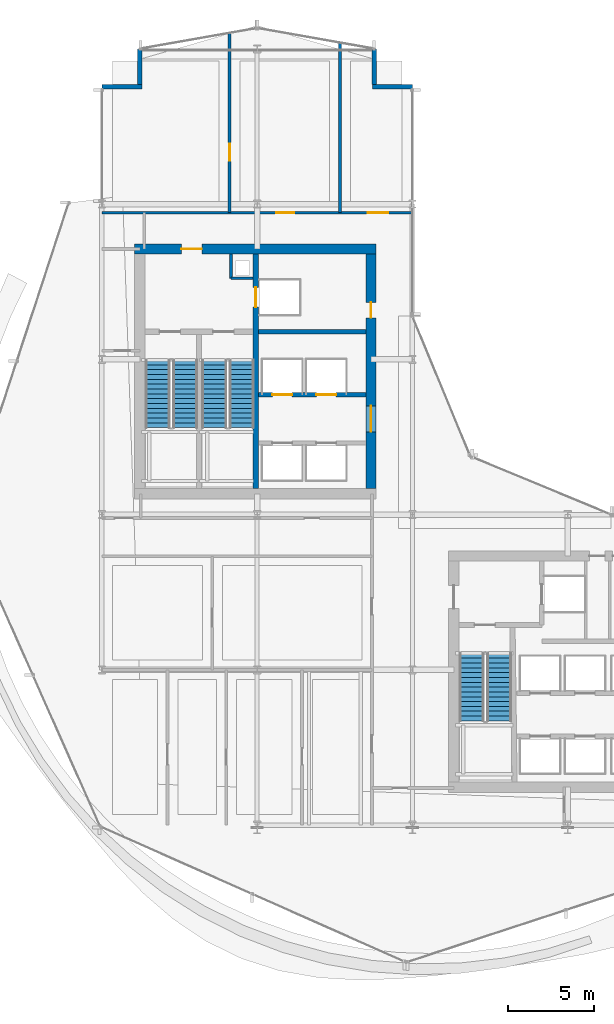
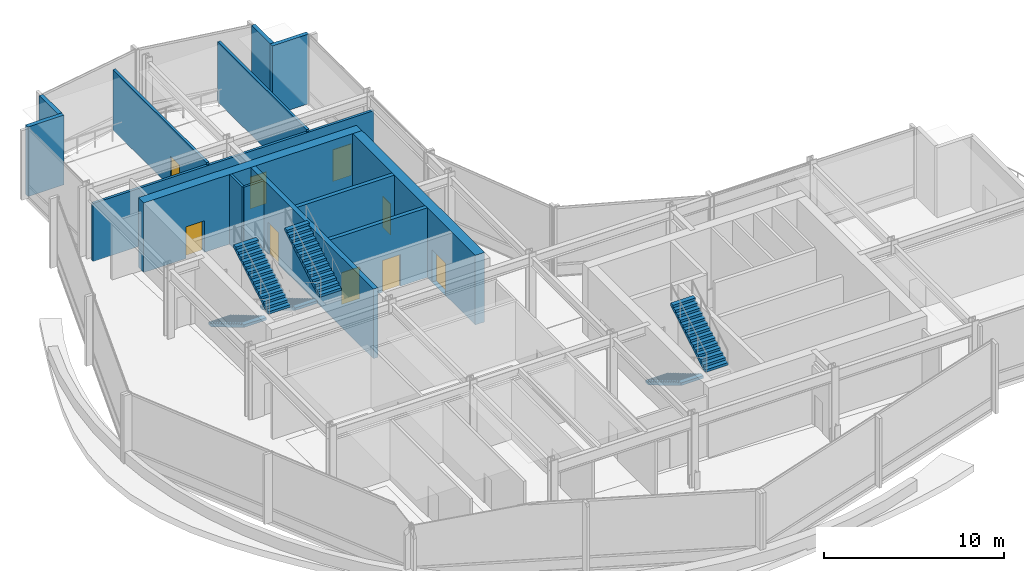
# One storey, part 26 of 33: 14 walls, 9 doors, 6 stair flights, 9 openings, 3 elements without a shape of their own.
"""IFC4 building model written with IfcOpenShell, lengths in metres."""

from ifc_helpers import new_model, si_unit, direction, frame, frame_2d, origin, place, context, subcontext, project, spatial, polyline, rectangle, outline, extrude, material, layer, layer_set, type_object, element, fill, aggregate, save


model = new_model("IFC4")

# Units and contexts
model_context = context("Model", 3, precision=1e-05, world=origin(), true_north=direction((0.0, 1.0)))
body_context = subcontext(model_context, "Body", "Model", "MODEL_VIEW")
ifc_project = project(units=[si_unit("LENGTHUNIT", "METRE"), si_unit("AREAUNIT", "SQUARE_METRE"), si_unit("VOLUMEUNIT", "CUBIC_METRE"), si_unit("PLANEANGLEUNIT", "RADIAN"), si_unit("MASSUNIT", "GRAM", prefix="KILO")], contexts=[model_context])

# Site, building, storey
site_placement = place(None, origin())
site = spatial("IfcSite", under=ifc_project, at=site_placement, CompositionType="ELEMENT")
building_placement = place(site_placement, origin())
building = spatial("IfcBuilding", under=site, at=building_placement, Name="Solvaryn Broadcast Tower", CompositionType="ELEMENT")
storey_placement = place(building_placement, frame((0.0, 0.0, 105.0)))
storey = spatial("IfcBuildingStorey", under=building, at=storey_placement, Name="L25", CompositionType="ELEMENT", Elevation=105.0)

# Wall, opening, door
ifc_material_1 = material(Name="Concrete f'c 70 MPa", Category="concrete")
ifc_layer_1 = layer(ifc_material_1, 0.60009765625)
ifc_layer_set_1 = layer_set([ifc_layer_1], Name="CW-SHEAR-600")
wall_type_1 = type_object("IfcWallType", Name="CW-SHEAR-600", PredefinedType="SHEAR", material=ifc_layer_set_1)
wall_1_placement = place(storey_placement, frame((24.89990234375, 42.39990234375, 0.0), z_axis=(0.0, 0.0, 1.0), x_axis=(-1.0, 0.0, 0.0)))
wall_1 = element("IfcWall", 1, at=wall_1_placement, inside=storey, type_object=wall_type_1, Name="L25 West Core North Shear Wall", PredefinedType="SHEAR", context=body_context, shape_type="SweptSolid", body=[
    extrude(rectangle(XDim=14.0, YDim=0.60009765625, at=frame_2d((7.0, 0.0))), origin(), (0.0, 0.0, 1.0), 4.719970703125),
])
opening_1_placement = place(wall_1_placement, frame((10.10009765625, 0.0, 0.0)))
opening_1 = element("IfcOpeningElement", 2, at=opening_1_placement, cuts=wall_1, Name="Opening FD90A", PredefinedType="OPENING", context=body_context, shape_type="SweptSolid", body=[
    extrude(rectangle(XDim=1.199951171875, YDim=2.14990234375, at=frame_2d((0.60009765625, 1.074951171875))), frame((0.0, 0.31005859375, 0.0), z_axis=(0.0, -1.0, 0.0), x_axis=(1.0, 0.0, 0.0)), (0.0, 0.0, 1.0), 0.6201171875),
])
ifc_material_2 = material(Name="Flush Acoustic Steel and Timber Door Assembly", Category="steel")
door_type_1 = type_object("IfcDoorType", Name="FD90-STAIR-1200X2150", OperationType="NOTDEFINED", PredefinedType="DOOR", material=ifc_material_2)
door_1_placement = place(opening_1_placement, origin())
door_1 = element("IfcDoor", 3, at=door_1_placement, inside=storey, type_object=door_type_1, Name="L25 West FSAE Lobby Corridor Door", OperationType="SINGLE_SWING_LEFT", OverallHeight=2.14990234375, OverallWidth=1.199951171875, PredefinedType="DOOR", context=body_context, shape_type="SweptSolid", body=[
    extrude(rectangle(XDim=1.199951171875, YDim=2.14990234375, at=frame_2d((0.60009765625, 1.074951171875))), frame((0.0, 0.02490234375, 0.0), z_axis=(0.0, -1.0, 0.0), x_axis=(1.0, 0.0, 0.0)), (0.0, 0.0, 1.0), 0.050048828125),
])
fill(opening_1, door_1)

# Wall, openings, doors
wall_2_placement = place(storey_placement, frame((24.60009765625, 28.5, 0.0), z_axis=(0.0, 0.0, 1.0), x_axis=(0.0, 1.0, 0.0)))
wall_2 = element("IfcWall", 4, at=wall_2_placement, inside=storey, type_object=wall_type_1, Name="L25 West Core East Shear Wall", PredefinedType="SHEAR", context=body_context, shape_type="SweptSolid", body=[
    extrude(rectangle(XDim=13.60009765625, YDim=0.60009765625, at=frame_2d((6.800048828125, 0.0))), origin(), (0.0, 0.0, 1.0), 4.719970703125),
])
opening_2_placement = place(wall_2_placement, frame((3.300048828125, 0.0, 0.0)))
opening_2 = element("IfcOpeningElement", 5, at=opening_2_placement, cuts=wall_2, Name="Opening FD60A", PredefinedType="OPENING", context=body_context, shape_type="SweptSolid", body=[
    extrude(rectangle(XDim=1.5, YDim=2.199951171875, at=frame_2d((0.75, 1.10009765625))), frame((0.0, 0.31005859375, 0.0), z_axis=(0.0, -1.0, 0.0), x_axis=(1.0, 0.0, 0.0)), (0.0, 0.0, 1.0), 0.6201171875),
])
opening_3_placement = place(wall_2_placement, frame((9.89990234375, 0.0, 0.0)))
opening_3 = element("IfcOpeningElement", 6, at=opening_3_placement, cuts=wall_2, Name="Opening FD60C", PredefinedType="OPENING", context=body_context, shape_type="SweptSolid", body=[
    extrude(rectangle(XDim=0.89990234375, YDim=2.10009765625, at=frame_2d((0.449951171875, 1.050048828125))), frame((0.0, 0.31005859375, 0.0), z_axis=(0.0, -1.0, 0.0), x_axis=(1.0, 0.0, 0.0)), (0.0, 0.0, 1.0), 0.6201171875),
])
ifc_material_3 = material(Name="Flush Acoustic Steel and Timber Door Assembly", Category="steel")
door_type_2 = type_object("IfcDoorType", Name="FD60-CORR-1500X2200", OperationType="NOTDEFINED", PredefinedType="DOOR", material=ifc_material_3)
door_2_placement = place(opening_2_placement, origin())
door_2 = element("IfcDoor", 7, at=door_2_placement, inside=storey, type_object=door_type_2, Name="L25 West Elevator Lobby Corridor Door", OperationType="DOUBLE_DOOR_SINGLE_SWING", OverallHeight=2.199951171875, OverallWidth=1.5, PredefinedType="DOOR", context=body_context, shape_type="SweptSolid", body=[
    extrude(rectangle(XDim=1.5, YDim=2.199951171875, at=frame_2d((0.75, 1.10009765625))), frame((0.0, 0.02490234375, 0.0), z_axis=(0.0, -1.0, 0.0), x_axis=(1.0, 0.0, 0.0)), (0.0, 0.0, 1.0), 0.050048828125),
])
fill(opening_2, door_2)
ifc_material_4 = material(Name="Flush Acoustic Steel and Timber Door Assembly", Category="steel")
door_type_3 = type_object("IfcDoorType", Name="FD60-SERV-900X2100", OperationType="NOTDEFINED", PredefinedType="DOOR", material=ifc_material_4)
door_3_placement = place(opening_3_placement, origin())
door_3 = element("IfcDoor", 8, at=door_3_placement, inside=storey, type_object=door_type_3, Name="L25 West Core Service Door 1", OperationType="SINGLE_SWING_LEFT", OverallHeight=2.10009765625, OverallWidth=0.89990234375, PredefinedType="DOOR", context=body_context, shape_type="SweptSolid", body=[
    extrude(rectangle(XDim=0.89990234375, YDim=2.10009765625, at=frame_2d((0.449951171875, 1.050048828125))), frame((0.0, 0.02490234375, 0.0), z_axis=(0.0, -1.0, 0.0), x_axis=(1.0, 0.0, 0.0)), (0.0, 0.0, 1.0), 0.050048828125),
])
fill(opening_3, door_3)

# Walls
ifc_material_5 = material(Name="Concrete f'c 50 MPa", Category="concrete")
ifc_layer_2 = layer(ifc_material_5, 0.260009765625)
ifc_layer_set_2 = layer_set([ifc_layer_2], Name="EW-PIER-260")
wall_type_2 = type_object("IfcWallType", Name="EW-PIER-260", PredefinedType="SOLIDWALL", material=ifc_layer_set_2)
wall_3_placement = place(storey_placement, frame((9.0, 51.800048828125, 0.0), z_axis=(0.0, 0.0, 1.0), x_axis=(1.0, 0.0, 0.0)))
element("IfcWall", 9, at=wall_3_placement, inside=storey, type_object=wall_type_2, Name="L25 Notched Corner Pier Wall NNW1", PredefinedType="SOLIDWALL", context=body_context, shape_type="SweptSolid", body=[
    extrude(rectangle(XDim=2.320068359375, YDim=0.260009765625, at=frame_2d((1.16015625, 0.0))), origin(), (0.0, 0.0, 1.0), 4.719970703125),
])
for number, where, z_axis, x_axis, name in (
    (10, (11.199951171875, 51.919921875, 0.0), (0.0, 0.0, 1.0), (0.0, 1.0, 0.0), "L25 Notched Corner Pier Wall NNW2"),
    (11, (24.800048828125, 54.0, 0.0), (0.0, 0.0, 1.0), (0.0, -1.0, 0.0), "L25 Notched Corner Pier Wall NNE1"),
):
    element("IfcWall", number, at=place(storey_placement, frame(where, z_axis=z_axis, x_axis=x_axis)), inside=storey, type_object=wall_type_2, Name=name, PredefinedType="SOLIDWALL", context=body_context, shape_type="SweptSolid", body=[
        extrude(rectangle(XDim=2.080078125, YDim=0.260009765625, at=frame_2d((1.0400390625, 0.0))), origin(), (0.0, 0.0, 1.0), 4.719970703125),
    ])
wall_4_placement = place(storey_placement, frame((24.679931640625, 51.800048828125, 0.0), z_axis=(0.0, 0.0, 1.0), x_axis=(1.0, 0.0, 0.0)))
element("IfcWall", 12, at=wall_4_placement, inside=storey, type_object=wall_type_2, Name="L25 Notched Corner Pier Wall NNE2", PredefinedType="SOLIDWALL", context=body_context, shape_type="SweptSolid", body=[
    extrude(rectangle(XDim=2.320068359375, YDim=0.260009765625, at=frame_2d((1.16015625, 0.0))), origin(), (0.0, 0.0, 1.0), 4.719970703125),
])
ifc_material_6 = material(Name="Metal-Stud Service Core Partition")
ifc_layer_3 = layer(ifc_material_6, 0.14990234375)
ifc_layer_set_3 = layer_set([ifc_layer_3], Name="IW-PART-150")
wall_type_3 = type_object("IfcWallType", Name="IW-PART-150", PredefinedType="PARTITIONING", material=ifc_layer_set_3)
wall_5_placement = place(storey_placement, frame((16.47998046875, 40.699951171875, 0.0), z_axis=(0.0, 0.0, 1.0), x_axis=(1.0, 0.0, 0.0)))
element("IfcWall", 13, at=wall_5_placement, inside=storey, type_object=wall_type_3, Name="L25 West Core Riser Shaft South Wall", PredefinedType="PARTITIONING", context=body_context, shape_type="SweptSolid", body=[
    extrude(rectangle(XDim=1.2900390625, YDim=0.14990234375, at=frame_2d((0.64501953125, 0.0))), origin(), (0.0, 0.0, 1.0), 4.719970703125),
])
wall_6_placement = place(storey_placement, frame((16.47998046875, 40.699951171875, 0.0), z_axis=(0.0, 0.0, 1.0), x_axis=(0.0, 1.0, 0.0)))
element("IfcWall", 14, at=wall_6_placement, inside=storey, type_object=wall_type_3, Name="L25 West Core Riser Shaft West Wall", PredefinedType="PARTITIONING", context=body_context, shape_type="SweptSolid", body=[
    extrude(rectangle(XDim=1.400146484375, YDim=0.14990234375, at=frame_2d((0.7001953125, 0.0))), origin(), (0.0, 0.0, 1.0), 4.719970703125),
])

# Wall, openings, doors
ifc_material_7 = material(Name="Metal-Stud Gypsum Office Partition")
ifc_layer_4 = layer(ifc_material_7, 0.159912109375)
ifc_layer_set_4 = layer_set([ifc_layer_4], Name="IW-PART-160")
wall_type_4 = type_object("IfcWallType", Name="IW-PART-160", PredefinedType="PARTITIONING", material=ifc_layer_set_4)
wall_7_placement = place(storey_placement, frame((9.0, 44.5, 0.0), z_axis=(0.0, 0.0, 1.0), x_axis=(1.0, 0.0, 0.0)))
wall_7 = element("IfcWall", 15, at=wall_7_placement, inside=storey, type_object=wall_type_4, Name="L25 Interior Partition IW-L25-NW-SB", PredefinedType="PARTITIONING", context=body_context, shape_type="SweptSolid", body=[
    extrude(rectangle(XDim=18.0, YDim=0.159912109375, at=frame_2d((9.0, 0.0))), origin(), (0.0, 0.0, 1.0), 3.93408203125),
])
opening_4_placement = place(wall_7_placement, frame((10.10009765625, 0.0, 0.0)))
opening_4 = element("IfcOpeningElement", 16, at=opening_4_placement, cuts=wall_7, Name="Opening ID03", PredefinedType="OPENING", context=body_context, shape_type="SweptSolid", body=[
    extrude(rectangle(XDim=1.050048828125, YDim=2.14990234375, at=frame_2d((0.52490234375, 1.074951171875))), frame((0.0, 0.090087890625, 0.0), z_axis=(0.0, -1.0, 0.0), x_axis=(1.0, 0.0, 0.0)), (0.0, 0.0, 1.0), 0.179931640625),
])
opening_5_placement = place(wall_7_placement, frame((15.39990234375, 0.0, 0.0)))
opening_5 = element("IfcOpeningElement", 17, at=opening_5_placement, cuts=wall_7, Name="Opening ID04", PredefinedType="OPENING", context=body_context, shape_type="SweptSolid", body=[
    extrude(rectangle(XDim=1.199951171875, YDim=2.14990234375, at=frame_2d((0.60009765625, 1.074951171875))), frame((0.0, 0.090087890625, 0.0), z_axis=(0.0, -1.0, 0.0), x_axis=(1.0, 0.0, 0.0)), (0.0, 0.0, 1.0), 0.179931640625),
])
ifc_material_8 = material(Name="Flush Acoustic Steel and Timber Door Assembly", Category="steel")
door_type_4 = type_object("IfcDoorType", Name="ID-03-1050X2150", OperationType="NOTDEFINED", PredefinedType="DOOR", material=ifc_material_8)
door_4_placement = place(opening_4_placement, origin())
door_4 = element("IfcDoor", 18, at=door_4_placement, inside=storey, type_object=door_type_4, Name="L25 Door DR-L25-NW-2", OperationType="SINGLE_SWING_LEFT", OverallHeight=2.14990234375, OverallWidth=1.050048828125, PredefinedType="DOOR", context=body_context, shape_type="SweptSolid", body=[
    extrude(rectangle(XDim=1.050048828125, YDim=2.14990234375, at=frame_2d((0.52490234375, 1.074951171875))), frame((0.0, 0.02490234375, 0.0), z_axis=(0.0, -1.0, 0.0), x_axis=(1.0, 0.0, 0.0)), (0.0, 0.0, 1.0), 0.050048828125),
])
fill(opening_4, door_4)
ifc_material_9 = material(Name="Flush Acoustic Steel and Timber Door Assembly", Category="steel")
door_type_5 = type_object("IfcDoorType", Name="ID-04-1200X2150", OperationType="NOTDEFINED", PredefinedType="DOOR", material=ifc_material_9)
door_5_placement = place(opening_5_placement, origin())
door_5 = element("IfcDoor", 19, at=door_5_placement, inside=storey, type_object=door_type_5, Name="L25 Door DR-L25-NW-3", OperationType="SINGLE_SWING_RIGHT", OverallHeight=2.14990234375, OverallWidth=1.199951171875, PredefinedType="DOOR", context=body_context, shape_type="SweptSolid", body=[
    extrude(rectangle(XDim=1.199951171875, YDim=2.14990234375, at=frame_2d((0.60009765625, 1.074951171875))), frame((0.0, 0.02490234375, 0.0), z_axis=(0.0, -1.0, 0.0), x_axis=(1.0, 0.0, 0.0)), (0.0, 0.0, 1.0), 0.050048828125),
])
fill(opening_5, door_5)

# Wall, opening, door
wall_8_placement = place(storey_placement, frame((16.39990234375, 44.5, 0.0), z_axis=(0.0, 0.0, 1.0), x_axis=(0.0, 1.0, 0.0)))
wall_8 = element("IfcWall", 20, at=wall_8_placement, inside=storey, type_object=wall_type_4, Name="L25 Interior Partition IW-L25-NW-V1", PredefinedType="PARTITIONING", context=body_context, shape_type="SweptSolid", body=[
    extrude(rectangle(XDim=10.41796875, YDim=0.159912109375, at=frame_2d((5.208984375, 0.0))), origin(), (0.0, 0.0, 1.0), 4.089111328125),
])
opening_6_placement = place(wall_8_placement, frame((3.0, 0.0, 0.0)))
opening_6 = element("IfcOpeningElement", 21, at=opening_6_placement, cuts=wall_8, Name="Opening ID02", PredefinedType="OPENING", context=body_context, shape_type="SweptSolid", body=[
    extrude(rectangle(XDim=1.0, YDim=2.10009765625, at=frame_2d((0.5, 1.050048828125))), frame((0.0, 0.090087890625, 0.0), z_axis=(0.0, -1.0, 0.0), x_axis=(1.0, 0.0, 0.0)), (0.0, 0.0, 1.0), 0.179931640625),
])
ifc_material_10 = material(Name="Flush Acoustic Steel and Timber Door Assembly", Category="steel")
door_type_6 = type_object("IfcDoorType", Name="ID-02-1000X2100", OperationType="NOTDEFINED", PredefinedType="DOOR", material=ifc_material_10)
door_6_placement = place(opening_6_placement, origin())
door_6 = element("IfcDoor", 22, at=door_6_placement, inside=storey, type_object=door_type_6, Name="L25 Door DR-L25-NW-C1", OperationType="SINGLE_SWING_RIGHT", OverallHeight=2.10009765625, OverallWidth=1.0, PredefinedType="DOOR", context=body_context, shape_type="SweptSolid", body=[
    extrude(rectangle(XDim=1.0, YDim=2.10009765625, at=frame_2d((0.5, 1.050048828125))), frame((0.0, 0.02490234375, 0.0), z_axis=(0.0, -1.0, 0.0), x_axis=(1.0, 0.0, 0.0)), (0.0, 0.0, 1.0), 0.050048828125),
])
fill(opening_6, door_6)

# Walls
wall_9_placement = place(storey_placement, frame((22.800048828125, 44.5, 0.0), z_axis=(0.0, 0.0, 1.0), x_axis=(0.0, 1.0, 0.0)))
element("IfcWall", 23, at=wall_9_placement, inside=storey, type_object=wall_type_4, Name="L25 Interior Partition IW-L25-NW-V2", PredefinedType="PARTITIONING", context=body_context, shape_type="SweptSolid", body=[
    extrude(rectangle(XDim=9.85302734375, YDim=0.159912109375, at=frame_2d((4.926513671875, 0.0))), origin(), (0.0, 0.0, 1.0), 4.089111328125),
])
ifc_material_11 = material(Name="Concrete f'c 60 MPa", Category="concrete")
ifc_layer_5 = layer(ifc_material_11, 0.25)
ifc_layer_set_5 = layer_set([ifc_layer_5], Name="SW-SHAFT-250")
wall_type_5 = type_object("IfcWallType", Name="SW-SHAFT-250", PredefinedType="PARTITIONING", material=ifc_layer_set_5)
wall_10_placement = place(storey_placement, frame((18.070068359375, 37.60009765625, 0.0), z_axis=(0.0, 0.0, 1.0), x_axis=(1.0, 0.0, 0.0)))
element("IfcWall", 24, at=wall_10_placement, inside=storey, type_object=wall_type_5, Name="L25 West Core FSAE Hoistway Front Wall", PredefinedType="PARTITIONING", context=body_context, shape_type="SweptSolid", body=[
    extrude(rectangle(XDim=6.22998046875, YDim=0.25, at=frame_2d((3.114990234375, 0.0))), origin(), (0.0, 0.0, 1.0), 4.719970703125),
])

# Wall, openings, doors
wall_11_placement = place(storey_placement, frame((24.300048828125, 33.949951171875, 0.0), z_axis=(0.0, 0.0, 1.0), x_axis=(-1.0, 0.0, 0.0)))
wall_11 = element("IfcWall", 25, at=wall_11_placement, inside=storey, type_object=wall_type_5, Name="L25 High-Rise Lift Bank North Wall", PredefinedType="PARTITIONING", context=body_context, shape_type="SweptSolid", body=[
    extrude(rectangle(XDim=6.22998046875, YDim=0.25, at=frame_2d((3.114990234375, 0.0))), origin(), (0.0, 0.0, 1.0), 4.719970703125),
])
opening_7_placement = place(wall_11_placement, frame((4.27490234375, 0.0, 0.0)))
opening_7 = element("IfcOpeningElement", 26, at=opening_7_placement, cuts=wall_11, Name="Opening LD01", PredefinedType="OPENING", context=body_context, shape_type="SweptSolid", body=[
    extrude(rectangle(XDim=1.14990234375, YDim=2.14990234375, at=frame_2d((0.574951171875, 1.074951171875))), frame((0.0, 0.135009765625, 0.0), z_axis=(0.0, -1.0, 0.0), x_axis=(1.0, 0.0, 0.0)), (0.0, 0.0, 1.0), 0.27001953125),
])
opening_8_placement = place(wall_11_placement, frame((1.72509765625, 0.0, 0.0)))
opening_8 = element("IfcOpeningElement", 27, at=opening_8_placement, cuts=wall_11, Name="Opening LD01", PredefinedType="OPENING", context=body_context, shape_type="SweptSolid", body=[
    extrude(rectangle(XDim=1.14990234375, YDim=2.14990234375, at=frame_2d((0.574951171875, 1.074951171875))), frame((0.0, 0.135009765625, 0.0), z_axis=(0.0, -1.0, 0.0), x_axis=(1.0, 0.0, 0.0)), (0.0, 0.0, 1.0), 0.27001953125),
])
ifc_material_12 = material(Name="Flush Acoustic Steel and Timber Door Assembly", Category="steel")
door_type_7 = type_object("IfcDoorType", Name="LD-LIFT-1150X2150", OperationType="NOTDEFINED", PredefinedType="DOOR", material=ifc_material_12)
door_7_placement = place(opening_7_placement, origin())
door_7 = element("IfcDoor", 28, at=door_7_placement, inside=storey, type_object=door_type_7, Name="L25 PH3 Lift Landing Door", OperationType="DOUBLE_DOOR_SLIDING", OverallHeight=2.14990234375, OverallWidth=1.14990234375, PredefinedType="DOOR", context=body_context, shape_type="SweptSolid", body=[
    extrude(rectangle(XDim=1.14990234375, YDim=2.14990234375, at=frame_2d((0.574951171875, 1.074951171875))), frame((0.0, 0.02490234375, 0.0), z_axis=(0.0, -1.0, 0.0), x_axis=(1.0, 0.0, 0.0)), (0.0, 0.0, 1.0), 0.050048828125),
])
fill(opening_7, door_7)
door_8_placement = place(opening_8_placement, origin())
door_8 = element("IfcDoor", 29, at=door_8_placement, inside=storey, type_object=door_type_7, Name="L25 PH4 Lift Landing Door", OperationType="DOUBLE_DOOR_SLIDING", OverallHeight=2.14990234375, OverallWidth=1.14990234375, PredefinedType="DOOR", context=body_context, shape_type="SweptSolid", body=[
    extrude(rectangle(XDim=1.14990234375, YDim=2.14990234375, at=frame_2d((0.574951171875, 1.074951171875))), frame((0.0, 0.02490234375, 0.0), z_axis=(0.0, -1.0, 0.0), x_axis=(1.0, 0.0, 0.0)), (0.0, 0.0, 1.0), 0.050048828125),
])
fill(opening_8, door_8)

# Wall, opening, door
ifc_material_13 = material(Name="Concrete f'c 70 MPa", Category="concrete")
ifc_layer_6 = layer(ifc_material_13, 0.300048828125)
ifc_layer_set_6 = layer_set([ifc_layer_6], Name="SW-SHAFT-300")
wall_type_6 = type_object("IfcWallType", Name="SW-SHAFT-300", PredefinedType="SHEAR", material=ifc_layer_set_6)
wall_12_placement = place(storey_placement, frame((17.919921875, 42.10009765625, 0.0), z_axis=(0.0, 0.0, 1.0), x_axis=(0.0, -1.0, 0.0)))
wall_12 = element("IfcWall", 30, at=wall_12_placement, inside=storey, type_object=wall_type_6, Name="L25 West Core Stair-Lobby Shear Wall", PredefinedType="SHEAR", context=body_context, shape_type="SweptSolid", body=[
    extrude(rectangle(XDim=13.60009765625, YDim=0.300048828125, at=frame_2d((6.800048828125, 0.0))), origin(), (0.0, 0.0, 1.0), 4.719970703125),
])
opening_9_placement = place(wall_12_placement, frame((1.925048828125, 0.0, 0.0)))
opening_9 = element("IfcOpeningElement", 31, at=opening_9_placement, cuts=wall_12, Name="Opening LD01", PredefinedType="OPENING", context=body_context, shape_type="SweptSolid", body=[
    extrude(rectangle(XDim=1.14990234375, YDim=2.14990234375, at=frame_2d((0.574951171875, 1.074951171875))), frame((0.0, 0.159912109375, 0.0), z_axis=(0.0, -1.0, 0.0), x_axis=(1.0, 0.0, 0.0)), (0.0, 0.0, 1.0), 0.320068359375),
])
door_9_placement = place(opening_9_placement, origin())
door_9 = element("IfcDoor", 32, at=door_9_placement, inside=storey, type_object=door_type_7, Name="L25 FL1 Lift Landing Door", OperationType="DOUBLE_DOOR_SLIDING", OverallHeight=2.14990234375, OverallWidth=1.14990234375, PredefinedType="DOOR", context=body_context, shape_type="SweptSolid", body=[
    extrude(rectangle(XDim=1.14990234375, YDim=2.14990234375, at=frame_2d((0.574951171875, 1.074951171875))), frame((0.0, 0.02490234375, 0.0), z_axis=(0.0, -1.0, 0.0), x_axis=(1.0, 0.0, 0.0)), (0.0, 0.0, 1.0), 0.050048828125),
])
fill(opening_9, door_9)

# Stair, stair flights
ifc_material_14 = material(Name="Concrete f'c 60 MPa", Category="concrete")
stair_type = type_object("IfcStairType", Name="ST-CORE", PredefinedType="HALF_TURN_STAIR", material=ifc_material_14)
stair_1_placement = place(storey_placement, origin())
stair_1 = element("IfcStair", 33, at=stair_1_placement, inside=storey, type_object=stair_type, Name="L25 ST1", PredefinedType="HALF_TURN_STAIR")
ifc_material_15 = material(Name="Concrete f'c 60 MPa", Category="concrete")
ifc_layer_7 = layer(ifc_material_15, 0.159912109375)
ifc_layer_set_7 = layer_set([ifc_layer_7], Name="SF-CORE")
stair_flight_type = type_object("IfcStairFlightType", Name="SF-CORE", PredefinedType="STRAIGHT", material=ifc_layer_set_7)
stair_flight_1_placement = place(storey_placement, frame((12.239990234375, 35.9599609375, 0.0), z_axis=(0.0, 0.0, 1.0), x_axis=(0.0, -1.0, 0.0)))
stair_flight_1 = element("IfcStairFlight", 34, at=stair_flight_1_placement, type_object=stair_flight_type, Name="ST1 flight 1", NumberOfRisers=15, NumberOfTreads=14, PredefinedType="STRAIGHT", RiserHeight=0.166666667, TreadLength=0.28, context=body_context, shape_type="SweptSolid", body=[
    extrude(outline(polyline([(0.0, 0.0), (0.0, 0.166748046875), (0.280029296875, 0.166748046875), (0.280029296875, 0.333251953125), (0.56005859375, 0.333251953125), (0.56005859375, 0.5), (0.840087890625, 0.5), (0.840087890625, 0.666748046875), (1.1201171875, 0.666748046875), (1.1201171875, 0.833251953125), (1.39990234375, 0.833251953125), (1.39990234375, 1.0), (1.679931640625, 1.0), (1.679931640625, 1.166748046875), (1.9599609375, 1.166748046875), (1.9599609375, 1.333251953125), (2.239990234375, 1.333251953125), (2.239990234375, 1.5), (2.52001953125, 1.5), (2.52001953125, 1.666748046875), (2.800048828125, 1.666748046875), (2.800048828125, 1.833251953125), (3.080078125, 1.833251953125), (3.080078125, 2.0), (3.360107421875, 2.0), (3.360107421875, 2.166748046875), (3.639892578125, 2.166748046875), (3.639892578125, 2.333251953125), (3.919921875, 2.333251953125), (3.919921875, 2.5), (3.919921875, 2.158935546875), (0.29296875, 0.0), (0.0, 0.0)])), frame((0.0, 0.719970703125, 0.0), z_axis=(0.0, -1.0, 0.0), x_axis=(1.0, 0.0, 0.0)), (0.0, 0.0, 1.0), 1.43994140625),
])
stair_flight_2_placement = place(storey_placement, frame((13.830078125, 32.0400390625, 2.5), z_axis=(0.0, 0.0, 1.0), x_axis=(0.0, 1.0, 0.0)))
stair_flight_2 = element("IfcStairFlight", 35, at=stair_flight_2_placement, type_object=stair_flight_type, Name="ST1 flight 2", NumberOfRisers=15, NumberOfTreads=14, PredefinedType="STRAIGHT", RiserHeight=0.166666667, TreadLength=0.28, context=body_context, shape_type="SweptSolid", body=[
    extrude(outline(polyline([(0.0, 0.0), (0.0, 0.166748046875), (0.280029296875, 0.166748046875), (0.280029296875, 0.333251953125), (0.56005859375, 0.333251953125), (0.56005859375, 0.5), (0.840087890625, 0.5), (0.840087890625, 0.666748046875), (1.1201171875, 0.666748046875), (1.1201171875, 0.833251953125), (1.39990234375, 0.833251953125), (1.39990234375, 1.0), (1.679931640625, 1.0), (1.679931640625, 1.166748046875), (1.9599609375, 1.166748046875), (1.9599609375, 1.333251953125), (2.239990234375, 1.333251953125), (2.239990234375, 1.5), (2.52001953125, 1.5), (2.52001953125, 1.666748046875), (2.800048828125, 1.666748046875), (2.800048828125, 1.833251953125), (3.080078125, 1.833251953125), (3.080078125, 2.0), (3.360107421875, 2.0), (3.360107421875, 2.166748046875), (3.639892578125, 2.166748046875), (3.639892578125, 2.333251953125), (3.919921875, 2.333251953125), (3.919921875, 2.5), (3.919921875, 2.158935546875), (0.29296875, 0.0), (0.0, 0.0)])), frame((0.0, 0.719970703125, 0.0), z_axis=(0.0, -1.0, 0.0), x_axis=(1.0, 0.0, 0.0)), (0.0, 0.0, 1.0), 1.43994140625),
])
aggregate(stair_1, [stair_flight_1, stair_flight_2])

stair_2_placement = place(storey_placement, origin())
stair_2 = element("IfcStair", 36, at=stair_2_placement, inside=storey, type_object=stair_type, Name="L25 ST2", PredefinedType="HALF_TURN_STAIR")
stair_flight_3_placement = place(storey_placement, frame((15.52001953125, 35.9599609375, 0.0), z_axis=(0.0, 0.0, 1.0), x_axis=(0.0, -1.0, 0.0)))
stair_flight_3 = element("IfcStairFlight", 37, at=stair_flight_3_placement, type_object=stair_flight_type, Name="ST2 flight 1", NumberOfRisers=15, NumberOfTreads=14, PredefinedType="STRAIGHT", RiserHeight=0.166666667, TreadLength=0.28, context=body_context, shape_type="SweptSolid", body=[
    extrude(outline(polyline([(0.0, 0.0), (0.0, 0.166748046875), (0.280029296875, 0.166748046875), (0.280029296875, 0.333251953125), (0.56005859375, 0.333251953125), (0.56005859375, 0.5), (0.840087890625, 0.5), (0.840087890625, 0.666748046875), (1.1201171875, 0.666748046875), (1.1201171875, 0.833251953125), (1.39990234375, 0.833251953125), (1.39990234375, 1.0), (1.679931640625, 1.0), (1.679931640625, 1.166748046875), (1.9599609375, 1.166748046875), (1.9599609375, 1.333251953125), (2.239990234375, 1.333251953125), (2.239990234375, 1.5), (2.52001953125, 1.5), (2.52001953125, 1.666748046875), (2.800048828125, 1.666748046875), (2.800048828125, 1.833251953125), (3.080078125, 1.833251953125), (3.080078125, 2.0), (3.360107421875, 2.0), (3.360107421875, 2.166748046875), (3.639892578125, 2.166748046875), (3.639892578125, 2.333251953125), (3.919921875, 2.333251953125), (3.919921875, 2.5), (3.919921875, 2.158935546875), (0.29296875, 0.0), (0.0, 0.0)])), frame((0.0, 0.719970703125, 0.0), z_axis=(0.0, -1.0, 0.0), x_axis=(1.0, 0.0, 0.0)), (0.0, 0.0, 1.0), 1.43994140625),
])
stair_flight_4_placement = place(storey_placement, frame((17.110107421875, 32.0400390625, 2.5), z_axis=(0.0, 0.0, 1.0), x_axis=(0.0, 1.0, 0.0)))
stair_flight_4 = element("IfcStairFlight", 38, at=stair_flight_4_placement, type_object=stair_flight_type, Name="ST2 flight 2", NumberOfRisers=15, NumberOfTreads=14, PredefinedType="STRAIGHT", RiserHeight=0.166666667, TreadLength=0.28, context=body_context, shape_type="SweptSolid", body=[
    extrude(outline(polyline([(0.0, 0.0), (0.0, 0.166748046875), (0.280029296875, 0.166748046875), (0.280029296875, 0.333251953125), (0.56005859375, 0.333251953125), (0.56005859375, 0.5), (0.840087890625, 0.5), (0.840087890625, 0.666748046875), (1.1201171875, 0.666748046875), (1.1201171875, 0.833251953125), (1.39990234375, 0.833251953125), (1.39990234375, 1.0), (1.679931640625, 1.0), (1.679931640625, 1.166748046875), (1.9599609375, 1.166748046875), (1.9599609375, 1.333251953125), (2.239990234375, 1.333251953125), (2.239990234375, 1.5), (2.52001953125, 1.5), (2.52001953125, 1.666748046875), (2.800048828125, 1.666748046875), (2.800048828125, 1.833251953125), (3.080078125, 1.833251953125), (3.080078125, 2.0), (3.360107421875, 2.0), (3.360107421875, 2.166748046875), (3.639892578125, 2.166748046875), (3.639892578125, 2.333251953125), (3.919921875, 2.333251953125), (3.919921875, 2.5), (3.919921875, 2.158935546875), (0.29296875, 0.0), (0.0, 0.0)])), frame((0.0, 0.719970703125, 0.0), z_axis=(0.0, -1.0, 0.0), x_axis=(1.0, 0.0, 0.0)), (0.0, 0.0, 1.0), 1.43994140625),
])
aggregate(stair_2, [stair_flight_3, stair_flight_4])

stair_3_placement = place(storey_placement, origin())
stair_3 = element("IfcStair", 39, at=stair_3_placement, inside=storey, type_object=stair_type, Name="L25 ST3", PredefinedType="HALF_TURN_STAIR")
stair_flight_5_placement = place(storey_placement, frame((30.43994140625, 18.9599609375, 0.0), z_axis=(0.0, 0.0, 1.0), x_axis=(0.0, -1.0, 0.0)))
stair_flight_5 = element("IfcStairFlight", 40, at=stair_flight_5_placement, type_object=stair_flight_type, Name="ST3 flight 1", NumberOfRisers=15, NumberOfTreads=14, PredefinedType="STRAIGHT", RiserHeight=0.166666667, TreadLength=0.28, context=body_context, shape_type="SweptSolid", body=[
    extrude(outline(polyline([(0.0, 0.0), (0.0, 0.166748046875), (0.280029296875, 0.166748046875), (0.280029296875, 0.333251953125), (0.56005859375, 0.333251953125), (0.56005859375, 0.5), (0.840087890625, 0.5), (0.840087890625, 0.666748046875), (1.1201171875, 0.666748046875), (1.1201171875, 0.833251953125), (1.39990234375, 0.833251953125), (1.39990234375, 1.0), (1.679931640625, 1.0), (1.679931640625, 1.166748046875), (1.9599609375, 1.166748046875), (1.9599609375, 1.333251953125), (2.239990234375, 1.333251953125), (2.239990234375, 1.5), (2.52001953125, 1.5), (2.52001953125, 1.666748046875), (2.800048828125, 1.666748046875), (2.800048828125, 1.833251953125), (3.080078125, 1.833251953125), (3.080078125, 2.0), (3.360107421875, 2.0), (3.360107421875, 2.166748046875), (3.639892578125, 2.166748046875), (3.639892578125, 2.333251953125), (3.919921875, 2.333251953125), (3.919921875, 2.5), (3.919921875, 2.158935546875), (0.29296875, 0.0), (0.0, 0.0)])), frame((0.0, 0.719970703125, 0.0), z_axis=(0.0, -1.0, 0.0), x_axis=(1.0, 0.0, 0.0)), (0.0, 0.0, 1.0), 1.43994140625),
])
stair_flight_6_placement = place(storey_placement, frame((32.030029296875, 15.0400390625, 2.5), z_axis=(0.0, 0.0, 1.0), x_axis=(0.0, 1.0, 0.0)))
stair_flight_6 = element("IfcStairFlight", 41, at=stair_flight_6_placement, type_object=stair_flight_type, Name="ST3 flight 2", NumberOfRisers=15, NumberOfTreads=14, PredefinedType="STRAIGHT", RiserHeight=0.166666667, TreadLength=0.28, context=body_context, shape_type="SweptSolid", body=[
    extrude(outline(polyline([(0.0, 0.0), (0.0, 0.166748046875), (0.280029296875, 0.166748046875), (0.280029296875, 0.333251953125), (0.56005859375, 0.333251953125), (0.56005859375, 0.5), (0.840087890625, 0.5), (0.840087890625, 0.666748046875), (1.1201171875, 0.666748046875), (1.1201171875, 0.833251953125), (1.39990234375, 0.833251953125), (1.39990234375, 1.0), (1.679931640625, 1.0), (1.679931640625, 1.166748046875), (1.9599609375, 1.166748046875), (1.9599609375, 1.333251953125), (2.239990234375, 1.333251953125), (2.239990234375, 1.5), (2.52001953125, 1.5), (2.52001953125, 1.666748046875), (2.800048828125, 1.666748046875), (2.800048828125, 1.833251953125), (3.080078125, 1.833251953125), (3.080078125, 2.0), (3.360107421875, 2.0), (3.360107421875, 2.166748046875), (3.639892578125, 2.166748046875), (3.639892578125, 2.333251953125), (3.919921875, 2.333251953125), (3.919921875, 2.5), (3.919921875, 2.158935546875), (0.29296875, 0.0), (0.0, 0.0)])), frame((0.0, 0.719970703125, 0.0), z_axis=(0.0, -1.0, 0.0), x_axis=(1.0, 0.0, 0.0)), (0.0, 0.0, 1.0), 1.43994140625),
])
aggregate(stair_3, [stair_flight_5, stair_flight_6])

save(model, "model.ifc")
